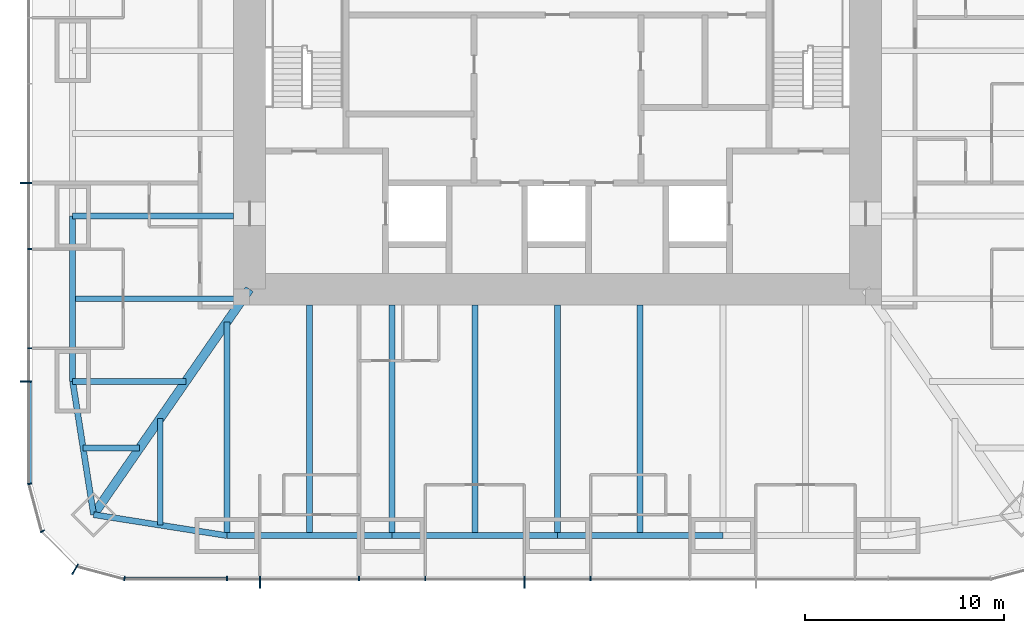
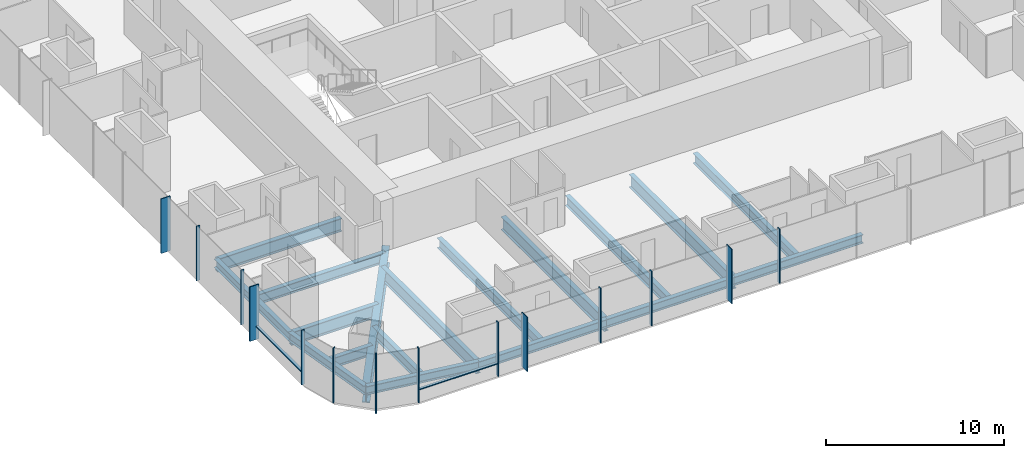
# One storey, part 2 of 12: 18 beams, 16 members, 3 elements without a shape of their own.
"""IFC4 building model written with IfcOpenShell, lengths in metres."""

from ifc_helpers import new_model, si_unit, direction, frame, origin, origin_2d, place, context, subcontext, project, spatial, rectangle, i_section, extrude, material, material_profile, profile_set, type_object, element, aggregate, save


model = new_model("IFC4")

# Units and contexts
model_context = context("Model", 3, precision=1e-05, world=origin(), true_north=direction((0.0, 1.0)))
body_context = subcontext(model_context, "Body", "Model", "MODEL_VIEW")
ifc_project = project(units=[si_unit("LENGTHUNIT", "METRE"), si_unit("AREAUNIT", "SQUARE_METRE"), si_unit("VOLUMEUNIT", "CUBIC_METRE"), si_unit("PLANEANGLEUNIT", "RADIAN"), si_unit("MASSUNIT", "GRAM", prefix="KILO")], contexts=[model_context])

# Site, building, storey
site_placement = place(None, origin())
site = spatial("IfcSite", under=ifc_project, at=site_placement, CompositionType="ELEMENT")
building_placement = place(site_placement, origin())
building = spatial("IfcBuilding", under=site, at=building_placement, Name="Khuree Lantern Residences", CompositionType="ELEMENT")
storey_placement = place(building_placement, frame((0.0, 0.0, 210.75)))
storey = spatial("IfcBuildingStorey", under=building, at=storey_placement, Name="L52", CompositionType="ELEMENT", Elevation=210.75)

# Beams
ifc_material_1 = material(Name="Steel S355", Category="steel")
ifc_material_profile_1 = material_profile(ifc_material_1, i_section(OverallWidth=0.300048828125, OverallDepth=0.68994140625, WebThickness=0.014404296875, FlangeThickness=0.027099609375, FilletRadius=0.027099609375, at=origin_2d()), Name="HE 700 A")
ifc_profile_set_1 = profile_set([ifc_material_profile_1], Name="Steel S355")
beam_type_1 = type_object("IfcBeamType", Name="B-31 SECONDARY BEAM HE 700 A", PredefinedType="BEAM", material=ifc_profile_set_1)
for number, where, z_axis, x_axis, name in (
    (1, (4.159912109375, -24.39990234375, -0.594970703125), (0.0, 1.0, 0.0), (-1.0, 0.0, 0.0), "Secondary beam S3"),
    (2, (-4.159912109375, -24.39990234375, -0.594970703125), (0.0, 1.0, 0.0), (-1.0, 0.0, 0.0), "Secondary beam S4"),
    (3, (-12.47998046875, -24.39990234375, -0.594970703125), (0.0, 1.0, 0.0), (-1.0, 0.0, 0.0), "Secondary beam S5"),
):
    element("IfcBeam", number, at=place(storey_placement, frame(where, z_axis=z_axis, x_axis=x_axis)), inside=storey, type_object=beam_type_1, Name=name, PredefinedType="BEAM", context=body_context, shape_type="SweptSolid", body=[
        extrude(i_section(OverallWidth=0.300048828125, OverallDepth=0.68994140625, WebThickness=0.014404296875, FlangeThickness=0.027099609375, FilletRadius=0.027099609375, at=origin_2d()), origin(), (0.0, 0.0, 1.0), 11.599853515625),
    ])
beam_1_placement = place(storey_placement, frame((-19.992919921875, -23.872802734375, -0.594970703125), z_axis=(0.0, 1.0, 0.0), x_axis=(-1.0, 0.0, 0.0)))
element("IfcBeam", 4, at=beam_1_placement, inside=storey, type_object=beam_type_1, Name="Secondary beam S6", PredefinedType="BEAM", context=body_context, shape_type="SweptSolid", body=[
    extrude(i_section(OverallWidth=0.300048828125, OverallDepth=0.68994140625, WebThickness=0.014404296875, FlangeThickness=0.027099609375, FilletRadius=0.027099609375, at=origin_2d()), origin(), (0.0, 0.0, 1.0), 5.375732421875),
])
beam_2_placement = place(storey_placement, frame((-23.872802734375, -19.992919921875, -0.594970703125), z_axis=(1.0, 0.0, 0.0), x_axis=(0.0, 1.0, 0.0)))
element("IfcBeam", 5, at=beam_2_placement, inside=storey, type_object=beam_type_1, Name="Secondary beam W1", PredefinedType="BEAM", context=body_context, shape_type="SweptSolid", body=[
    extrude(i_section(OverallWidth=0.300048828125, OverallDepth=0.68994140625, WebThickness=0.014404296875, FlangeThickness=0.027099609375, FilletRadius=0.027099609375, at=origin_2d()), origin(), (0.0, 0.0, 1.0), 2.845703125),
])
beam_3_placement = place(storey_placement, frame((-24.39990234375, -12.47998046875, -0.594970703125), z_axis=(1.0, 0.0, 0.0), x_axis=(0.0, 1.0, 0.0)))
element("IfcBeam", 6, at=beam_3_placement, inside=storey, type_object=beam_type_1, Name="Secondary beam W2", PredefinedType="BEAM", context=body_context, shape_type="SweptSolid", body=[
    extrude(i_section(OverallWidth=0.300048828125, OverallDepth=0.68994140625, WebThickness=0.014404296875, FlangeThickness=0.027099609375, FilletRadius=0.027099609375, at=origin_2d()), origin(), (0.0, 0.0, 1.0), 8.56787109375),
])
ifc_material_profile_2 = material_profile(ifc_material_1, i_section(OverallWidth=0.300048828125, OverallDepth=0.590087890625, WebThickness=0.012939453125, FlangeThickness=0.02490234375, FilletRadius=0.027099609375, at=origin_2d()), Name="HE 600 A")
ifc_profile_set_2 = profile_set([ifc_material_profile_2], Name="Steel S355")
beam_type_2 = type_object("IfcBeamType", Name="E-31 SPANDREL BEAM HE 600 A", PredefinedType="SPANDREL", material=ifc_profile_set_2)
for number, where, z_axis, x_axis, name in (
    (7, (8.320068359375, -24.39990234375, -0.544921875), (-1.0, 0.0, 0.0), (0.0, -1.0, 0.0), "Spandrel beam S3"),
    (8, (0.0, -24.39990234375, -0.544921875), (-1.0, 0.0, 0.0), (0.0, -1.0, 0.0), "Spandrel beam S4"),
):
    element("IfcBeam", number, at=place(storey_placement, frame(where, z_axis=z_axis, x_axis=x_axis)), inside=storey, type_object=beam_type_2, Name=name, PredefinedType="SPANDREL", context=body_context, shape_type="SweptSolid", body=[
        extrude(i_section(OverallWidth=0.300048828125, OverallDepth=0.590087890625, WebThickness=0.012939453125, FlangeThickness=0.02490234375, FilletRadius=0.027099609375, at=origin_2d()), origin(), (0.0, 0.0, 1.0), 8.320068359375),
    ])
beam_4_placement = place(storey_placement, frame((-8.320068359375, -24.39990234375, -0.544921875), z_axis=(-1.0, 0.0, 0.0), x_axis=(0.0, -1.0, 0.0)))
element("IfcBeam", 9, at=beam_4_placement, inside=storey, type_object=beam_type_2, Name="Spandrel beam S5", PredefinedType="SPANDREL", context=body_context, shape_type="SweptSolid", body=[
    extrude(i_section(OverallWidth=0.300048828125, OverallDepth=0.590087890625, WebThickness=0.012939453125, FlangeThickness=0.02490234375, FilletRadius=0.027099609375, at=origin_2d()), origin(), (0.0, 0.0, 1.0), 8.31982421875),
])
for number, where, z_axis, x_axis, name in (
    (10, (-16.639892578125, -24.39990234375, -0.544921875), (-0.98786743189, 0.155299507442, 0.0), (-0.155299507442, -0.98786743189, 0.0), "Spandrel beam S6"),
    (11, (-23.345703125, -23.345703125, -0.544921875), (-0.155299507442, 0.98786743189, 0.0), (-0.98786743189, -0.155299507442, 0.0), "Spandrel beam W1"),
):
    element("IfcBeam", number, at=place(storey_placement, frame(where, z_axis=z_axis, x_axis=x_axis)), inside=storey, type_object=beam_type_2, Name=name, PredefinedType="SPANDREL", context=body_context, shape_type="SweptSolid", body=[
        extrude(i_section(OverallWidth=0.300048828125, OverallDepth=0.590087890625, WebThickness=0.012939453125, FlangeThickness=0.02490234375, FilletRadius=0.027099609375, at=origin_2d()), origin(), (0.0, 0.0, 1.0), 6.7880859375),
    ])
beam_5_placement = place(storey_placement, frame((-24.39990234375, -16.639892578125, -0.544921875), z_axis=(0.0, 1.0, 0.0), x_axis=(-1.0, 0.0, 0.0)))
element("IfcBeam", 12, at=beam_5_placement, inside=storey, type_object=beam_type_2, Name="Spandrel beam W2", PredefinedType="SPANDREL", context=body_context, shape_type="SweptSolid", body=[
    extrude(i_section(OverallWidth=0.300048828125, OverallDepth=0.590087890625, WebThickness=0.012939453125, FlangeThickness=0.02490234375, FilletRadius=0.027099609375, at=origin_2d()), origin(), (0.0, 0.0, 1.0), 8.31982421875),
])

# Curtain wall, members
ifc_material_2 = material(Name="Bronze anodised aluminium", Category="aluminium")
curtain_wall_type_1 = type_object("IfcCurtainWallType", Name="CW-T1 TOWER FACE CURTAIN WALL", PredefinedType="USERDEFINED", material=ifc_material_2)
curtain_wall_1_placement = place(storey_placement, origin())
curtain_wall_1 = element("IfcCurtainWall", 13, at=curtain_wall_1_placement, inside=storey, type_object=curtain_wall_type_1, Name="L52 WEST FACE CURTAIN WALL", ObjectType="Stick-built curtain wall", PredefinedType="USERDEFINED")
ifc_material_profile_3 = material_profile(ifc_material_2, rectangle(XDim=0.06494140625, YDim=0.60009765625, at=origin_2d()), Name="F1 65X600")
ifc_profile_set_3 = profile_set([ifc_material_profile_3], Name="Bronze anodised aluminium")
member_type_1 = type_object("IfcMemberType", Name="F1 BRONZE FIN MULLION TOWER 65X600", PredefinedType="MULLION", material=ifc_profile_set_3)
member_1_placement = place(storey_placement, frame((-26.75, -6.656005859375, 0.0), z_axis=(0.0, 0.0, 1.0), x_axis=(0.0, -1.0, 0.0)))
member_1 = element("IfcMember", 14, at=member_1_placement, type_object=member_type_1, Name="L52 WEST FACE FIN MULLION 39", PredefinedType="MULLION", context=body_context, shape_type="SweptSolid", body=[
    extrude(rectangle(XDim=0.06494140625, YDim=0.60009765625, at=origin_2d()), origin(), (0.0, 0.0, 1.0), 3.75),
])
member_2_placement = place(storey_placement, frame((-26.75, -16.639892578125, 0.0), z_axis=(0.0, 0.0, 1.0), x_axis=(0.0, -1.0, 0.0)))
member_2 = element("IfcMember", 15, at=member_2_placement, type_object=member_type_1, Name="L52 WEST FACE FIN MULLION 42", PredefinedType="MULLION", context=body_context, shape_type="SweptSolid", body=[
    extrude(rectangle(XDim=0.06494140625, YDim=0.60009765625, at=origin_2d()), origin(), (0.0, 0.0, 1.0), 3.75),
])

# Curtain wall, member
curtain_wall_type_2 = type_object("IfcCurtainWallType", Name="CW-T2 TOWER CORNER CURTAIN WALL", PredefinedType="USERDEFINED", material=ifc_material_2)
curtain_wall_2_placement = place(storey_placement, origin())
curtain_wall_2 = element("IfcCurtainWall", 16, at=curtain_wall_2_placement, inside=storey, type_object=curtain_wall_type_2, Name="L52 SOUTH-WEST CORNER CURTAIN WALL", ObjectType="Faceted corner curtain wall", PredefinedType="USERDEFINED")
member_3_placement = place(storey_placement, frame((-24.27490234375, -26.0869140625, 0.0), z_axis=(0.0, 0.0, 1.0), x_axis=(0.866025409797, -0.499999989586, 0.0)))
member_3 = element("IfcMember", 17, at=member_3_placement, type_object=member_type_1, Name="L52 SOUTH-WEST CORNER FIN MULLION 45", PredefinedType="MULLION", context=body_context, shape_type="SweptSolid", body=[
    extrude(rectangle(XDim=0.06494140625, YDim=0.60009765625, at=origin_2d()), origin(), (0.0, 0.0, 1.0), 3.75),
])

# Curtain wall, members
curtain_wall_3_placement = place(storey_placement, origin())
curtain_wall_3 = element("IfcCurtainWall", 18, at=curtain_wall_3_placement, inside=storey, type_object=curtain_wall_type_1, Name="L52 SOUTH FACE CURTAIN WALL", ObjectType="Stick-built curtain wall", PredefinedType="USERDEFINED")
member_4_placement = place(storey_placement, frame((-14.97607421875, -26.75, 0.0), z_axis=(0.0, 0.0, 1.0), x_axis=(1.0, 0.0, 0.0)))
member_4 = element("IfcMember", 19, at=member_4_placement, type_object=member_type_1, Name="L52 SOUTH FACE FIN MULLION 48", PredefinedType="MULLION", context=body_context, shape_type="SweptSolid", body=[
    extrude(rectangle(XDim=0.06494140625, YDim=0.60009765625, at=origin_2d()), origin(), (0.0, 0.0, 1.0), 3.75),
])
member_5_placement = place(storey_placement, frame((-1.6640625, -26.75, 0.0), z_axis=(0.0, 0.0, 1.0), x_axis=(1.0, 0.0, 0.0)))
member_5 = element("IfcMember", 20, at=member_5_placement, type_object=member_type_1, Name="L52 SOUTH FACE FIN MULLION 51", PredefinedType="MULLION", context=body_context, shape_type="SweptSolid", body=[
    extrude(rectangle(XDim=0.06494140625, YDim=0.60009765625, at=origin_2d()), origin(), (0.0, 0.0, 1.0), 3.75),
])

# Beams
ifc_material_profile_4 = material_profile(ifc_material_1, i_section(OverallWidth=0.300048828125, OverallDepth=0.89990234375, WebThickness=0.0185546875, FlangeThickness=0.034912109375, FilletRadius=0.030029296875, at=origin_2d()), Name="HE 900 B")
ifc_profile_set_4 = profile_set([ifc_material_profile_4], Name="Steel S355")
beam_type_3 = type_object("IfcBeamType", Name="G-31A GIRDER HE 900 B", PredefinedType="BEAM", material=ifc_profile_set_4)
for number, where, z_axis, x_axis, name in (
    (21, (0.0, -24.39990234375, -0.699951171875), (0.0, 1.0, 0.0), (-1.0, 0.0, 0.0), "Girder S3"),
    (22, (-8.320068359375, -24.39990234375, -0.699951171875), (0.0, 1.0, 0.0), (-1.0, 0.0, 0.0), "Girder S4"),
):
    element("IfcBeam", number, at=place(storey_placement, frame(where, z_axis=z_axis, x_axis=x_axis)), inside=storey, type_object=beam_type_3, Name=name, PredefinedType="BEAM", context=body_context, shape_type="SweptSolid", body=[
        extrude(i_section(OverallWidth=0.300048828125, OverallDepth=0.89990234375, WebThickness=0.0185546875, FlangeThickness=0.034912109375, FilletRadius=0.030029296875, at=origin_2d()), origin(), (0.0, 0.0, 1.0), 11.599853515625),
    ])
beam_6_placement = place(storey_placement, frame((-16.639892578125, -24.39990234375, -0.699951171875), z_axis=(0.0, 1.0, 0.0), x_axis=(-1.0, 0.0, 0.0)))
element("IfcBeam", 23, at=beam_6_placement, inside=storey, type_object=beam_type_3, Name="Girder S5", PredefinedType="BEAM", context=body_context, shape_type="SweptSolid", body=[
    extrude(i_section(OverallWidth=0.300048828125, OverallDepth=0.89990234375, WebThickness=0.0185546875, FlangeThickness=0.034912109375, FilletRadius=0.030029296875, at=origin_2d()), origin(), (0.0, 0.0, 1.0), 10.751220703125),
])
beam_7_placement = place(storey_placement, frame((-24.39990234375, -16.639892578125, -0.699951171875), z_axis=(1.0, 0.0, 0.0), x_axis=(0.0, 1.0, 0.0)))
element("IfcBeam", 24, at=beam_7_placement, inside=storey, type_object=beam_type_3, Name="Girder W1", PredefinedType="BEAM", context=body_context, shape_type="SweptSolid", body=[
    extrude(i_section(OverallWidth=0.300048828125, OverallDepth=0.89990234375, WebThickness=0.0185546875, FlangeThickness=0.034912109375, FilletRadius=0.030029296875, at=origin_2d()), origin(), (0.0, 0.0, 1.0), 5.69140625),
])
beam_8_placement = place(storey_placement, frame((-24.39990234375, -8.320068359375, -0.699951171875), z_axis=(1.0, 0.0, 0.0), x_axis=(0.0, 1.0, 0.0)))
element("IfcBeam", 25, at=beam_8_placement, inside=storey, type_object=beam_type_3, Name="Girder W2", PredefinedType="BEAM", context=body_context, shape_type="SweptSolid", body=[
    extrude(i_section(OverallWidth=0.300048828125, OverallDepth=0.89990234375, WebThickness=0.0185546875, FlangeThickness=0.034912109375, FilletRadius=0.030029296875, at=origin_2d()), origin(), (0.0, 0.0, 1.0), 8.099853515625),
])
ifc_material_profile_5 = material_profile(ifc_material_1, i_section(OverallWidth=0.449951171875, OverallDepth=1.199951171875, WebThickness=0.02490234375, FlangeThickness=0.044921875, at=origin_2d()), Name="WELDED I 1200X450X25X45")
ifc_profile_set_5 = profile_set([ifc_material_profile_5], Name="Steel S355")
beam_type_4 = type_object("IfcBeamType", Name="GD-31 CORNER GIRDER WELDED I 1200X450X25X45", PredefinedType="BEAM", material=ifc_profile_set_5)
beam_9_placement = place(storey_placement, frame((-23.345703125, -23.345703125, -0.85009765625), z_axis=(0.56876813501, 0.822497907959, 0.0), x_axis=(-0.822497907959, 0.56876813501, 0.0)))
element("IfcBeam", 26, at=beam_9_placement, inside=storey, type_object=beam_type_4, Name="Corner girder SW", PredefinedType="BEAM", context=body_context, shape_type="SweptSolid", body=[
    extrude(i_section(OverallWidth=0.449951171875, OverallDepth=1.199951171875, WebThickness=0.02490234375, FlangeThickness=0.044921875, at=origin_2d()), origin(), (0.0, 0.0, 1.0), 13.794189453125),
])

# Member
ifc_material_profile_6 = material_profile(ifc_material_2, rectangle(XDim=0.06494140625, YDim=0.219970703125, at=origin_2d()), Name="M1 65X220")
ifc_profile_set_6 = profile_set([ifc_material_profile_6], Name="Bronze anodised aluminium")
member_type_2 = type_object("IfcMemberType", Name="M1 BRONZE MULLION TOWER 65X220", PredefinedType="MULLION", material=ifc_profile_set_6)
member_6_placement = place(storey_placement, frame((-26.56005859375, -9.98388671875, 0.0), z_axis=(0.0, 0.0, 1.0), x_axis=(0.0, -1.0, 0.0)))
member_6 = element("IfcMember", 27, at=member_6_placement, type_object=member_type_2, Name="L52 WEST FACE MULLION 40", PredefinedType="MULLION", context=body_context, shape_type="SweptSolid", body=[
    extrude(rectangle(XDim=0.06494140625, YDim=0.219970703125, at=origin_2d()), origin(), (0.0, 0.0, 1.0), 3.75),
])

member_7_placement = place(storey_placement, frame((-26.56005859375, -14.97607421875, 0.0), z_axis=(0.0, 0.0, 1.0), x_axis=(0.0, -1.0, 0.0)))
member_7 = element("IfcMember", 28, at=member_7_placement, type_object=member_type_2, Name="L52 WEST FACE MULLION 41", PredefinedType="MULLION", context=body_context, shape_type="SweptSolid", body=[
    extrude(rectangle(XDim=0.06494140625, YDim=0.219970703125, at=origin_2d()), origin(), (0.0, 0.0, 1.0), 3.75),
])

member_8_placement = place(storey_placement, frame((-26.561767578125, -21.794921875, 0.0), z_axis=(0.0, 0.0, 1.0), x_axis=(0.130526180298, -0.991444862943, 0.0)))
member_8 = element("IfcMember", 29, at=member_8_placement, type_object=member_type_2, Name="L52 SOUTH-WEST CORNER MULLION 43", PredefinedType="MULLION", context=body_context, shape_type="SweptSolid", body=[
    extrude(rectangle(XDim=0.06494140625, YDim=0.219970703125, at=origin_2d()), origin(), (0.0, 0.0, 1.0), 3.75),
])

member_9_placement = place(storey_placement, frame((-25.92236328125, -24.179931640625, 0.0), z_axis=(0.0, 0.0, 1.0), x_axis=(0.499999989586, -0.866025409797, 0.0)))
member_9 = element("IfcMember", 30, at=member_9_placement, type_object=member_type_2, Name="L52 SOUTH-WEST CORNER MULLION 44", PredefinedType="MULLION", context=body_context, shape_type="SweptSolid", body=[
    extrude(rectangle(XDim=0.06494140625, YDim=0.219970703125, at=origin_2d()), origin(), (0.0, 0.0, 1.0), 3.75),
])

aggregate(curtain_wall_2, [member_8, member_9, member_3])

member_10_placement = place(storey_placement, frame((-21.794921875, -26.561767578125, 0.0), z_axis=(0.0, 0.0, 1.0), x_axis=(0.991444862943, -0.130526180298, 0.0)))
member_10 = element("IfcMember", 31, at=member_10_placement, type_object=member_type_2, Name="L52 SOUTH FACE MULLION 46", PredefinedType="MULLION", context=body_context, shape_type="SweptSolid", body=[
    extrude(rectangle(XDim=0.06494140625, YDim=0.219970703125, at=origin_2d()), origin(), (0.0, 0.0, 1.0), 3.75),
])

member_11_placement = place(storey_placement, frame((-16.639892578125, -26.56005859375, 0.0), z_axis=(0.0, 0.0, 1.0), x_axis=(1.0, 0.0, 0.0)))
member_11 = element("IfcMember", 32, at=member_11_placement, type_object=member_type_2, Name="L52 SOUTH FACE MULLION 47", PredefinedType="MULLION", context=body_context, shape_type="SweptSolid", body=[
    extrude(rectangle(XDim=0.06494140625, YDim=0.219970703125, at=origin_2d()), origin(), (0.0, 0.0, 1.0), 3.75),
])

member_12_placement = place(storey_placement, frame((-9.98388671875, -26.56005859375, 0.0), z_axis=(0.0, 0.0, 1.0), x_axis=(1.0, 0.0, 0.0)))
member_12 = element("IfcMember", 33, at=member_12_placement, type_object=member_type_2, Name="L52 SOUTH FACE MULLION 49", PredefinedType="MULLION", context=body_context, shape_type="SweptSolid", body=[
    extrude(rectangle(XDim=0.06494140625, YDim=0.219970703125, at=origin_2d()), origin(), (0.0, 0.0, 1.0), 3.75),
])

member_13_placement = place(storey_placement, frame((-6.656005859375, -26.56005859375, 0.0), z_axis=(0.0, 0.0, 1.0), x_axis=(1.0, 0.0, 0.0)))
member_13 = element("IfcMember", 34, at=member_13_placement, type_object=member_type_2, Name="L52 SOUTH FACE MULLION 50", PredefinedType="MULLION", context=body_context, shape_type="SweptSolid", body=[
    extrude(rectangle(XDim=0.06494140625, YDim=0.219970703125, at=origin_2d()), origin(), (0.0, 0.0, 1.0), 3.75),
])

member_14_placement = place(storey_placement, frame((1.6640625, -26.56005859375, 0.0), z_axis=(0.0, 0.0, 1.0), x_axis=(1.0, 0.0, 0.0)))
member_14 = element("IfcMember", 35, at=member_14_placement, type_object=member_type_2, Name="L52 SOUTH FACE MULLION 52", PredefinedType="MULLION", context=body_context, shape_type="SweptSolid", body=[
    extrude(rectangle(XDim=0.06494140625, YDim=0.219970703125, at=origin_2d()), origin(), (0.0, 0.0, 1.0), 3.75),
])

ifc_material_profile_7 = material_profile(ifc_material_2, rectangle(XDim=0.179931640625, YDim=0.06494140625, at=origin_2d()), Name="T1 180X65")
ifc_profile_set_7 = profile_set([ifc_material_profile_7], Name="Bronze anodised aluminium")
member_type_3 = type_object("IfcMemberType", Name="TRANSOM T1 TOWER 180X65", PredefinedType="USERDEFINED", material=ifc_profile_set_7)
member_15_placement = place(storey_placement, frame((-26.570068359375, -16.672607421875, 0.89990234375), z_axis=(0.0, -1.0, 0.0), x_axis=(1.0, 0.0, 0.0)))
member_15 = element("IfcMember", 36, at=member_15_placement, type_object=member_type_3, Name="L52 WEST FACE TRANSOM 42.1", ObjectType="Transom", PredefinedType="USERDEFINED", context=body_context, shape_type="SweptSolid", body=[
    extrude(rectangle(XDim=0.179931640625, YDim=0.06494140625, at=origin_2d()), origin(), (0.0, 0.0, 1.0), 5.078857421875),
])

aggregate(curtain_wall_1, [member_1, member_6, member_7, member_2, member_15])

member_16_placement = place(storey_placement, frame((-21.75146484375, -26.570068359375, 0.89990234375), z_axis=(1.0, 0.0, 0.0), x_axis=(0.0, 1.0, 0.0)))
member_16 = element("IfcMember", 37, at=member_16_placement, type_object=member_type_3, Name="L52 SOUTH FACE TRANSOM 46.1", ObjectType="Transom", PredefinedType="USERDEFINED", context=body_context, shape_type="SweptSolid", body=[
    extrude(rectangle(XDim=0.179931640625, YDim=0.06494140625, at=origin_2d()), origin(), (0.0, 0.0, 1.0), 5.078857421875),
])

aggregate(curtain_wall_3, [member_10, member_11, member_4, member_12, member_13, member_5, member_14, member_16])

save(model, "model.ifc")
